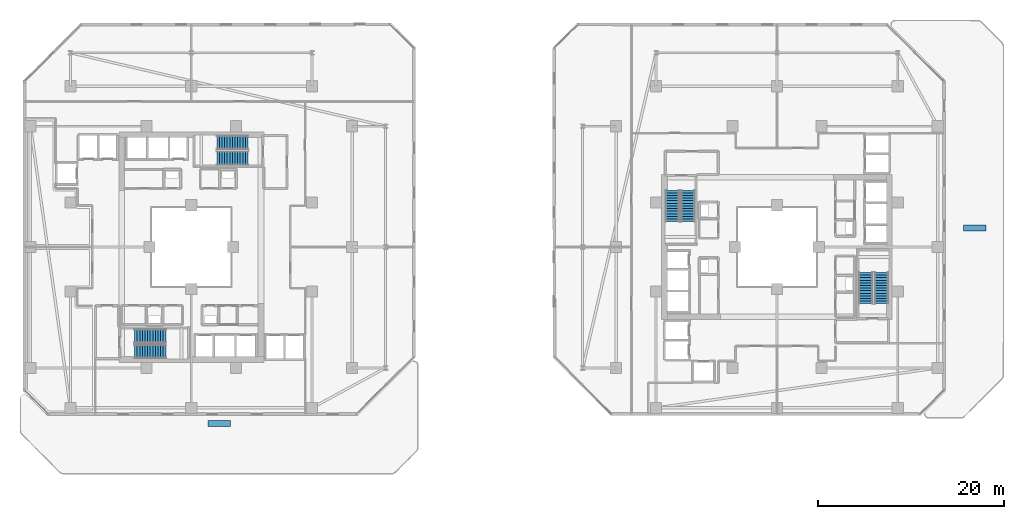
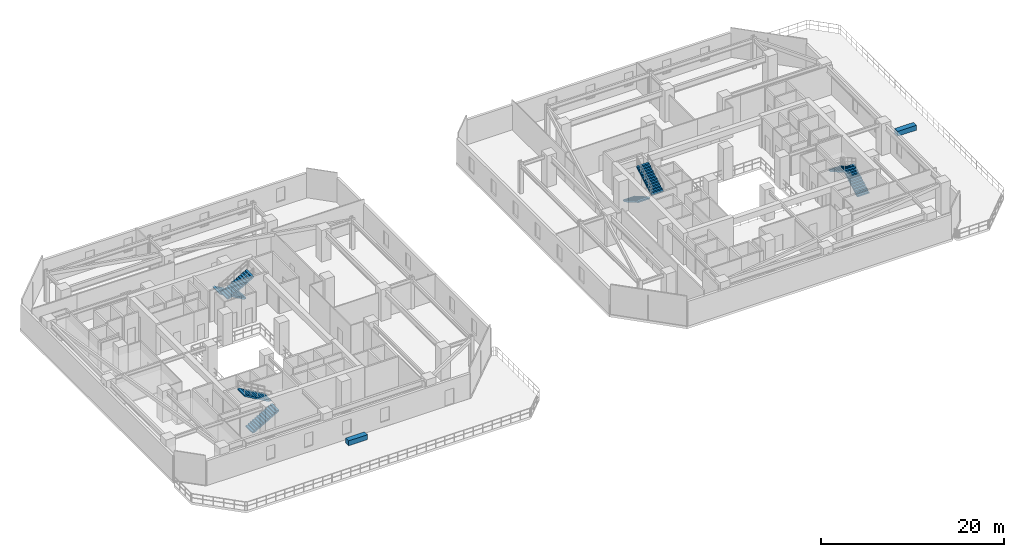
# One storey, part 23 of 30: 8 stair flights, 2 discrete accessories, 4 elements without a shape of their own.
"""IFC4 building model written with IfcOpenShell, lengths in metres."""

from ifc_helpers import new_model, si_unit, direction, frame, origin, origin_2d, place, context, subcontext, project, spatial, polyline, rectangle, outline, extrude, material, type_object, element, aggregate, save


model = new_model("IFC4")

# Units and contexts
model_context = context("Model", 3, precision=1e-05, world=origin(), true_north=direction((0.0, 1.0)))
body_context = subcontext(model_context, "Body", "Model", "MODEL_VIEW")
ifc_project = project(units=[si_unit("LENGTHUNIT", "METRE"), si_unit("AREAUNIT", "SQUARE_METRE"), si_unit("VOLUMEUNIT", "CUBIC_METRE"), si_unit("PLANEANGLEUNIT", "RADIAN"), si_unit("MASSUNIT", "GRAM", prefix="KILO")], contexts=[model_context])

# Site, building, storey
site_placement = place(None, origin())
site = spatial("IfcSite", under=ifc_project, at=site_placement, CompositionType="ELEMENT")
building_placement = place(site_placement, origin())
building = spatial("IfcBuilding", under=site, at=building_placement, Name="Thornwick Lancets Civic Towers", CompositionType="ELEMENT")
storey_placement = place(building_placement, frame((0.0, 0.0, 75.89990234375)))
storey = spatial("IfcBuildingStorey", under=building, at=storey_placement, Name="L19", CompositionType="ELEMENT", Elevation=75.89990234375)

# Stair, stair flights
ifc_material_1 = material(Name="Concrete C40/50", Category="concrete")
stair_type = type_object("IfcStairType", Name="STAIR_DL_4200", PredefinedType="HALF_TURN_STAIR", material=ifc_material_1)
stair_1_placement = place(storey_placement, origin())
stair_1 = element("IfcStair", 1, at=stair_1_placement, inside=storey, type_object=stair_type, Name="L19 Tower A South Exit Stair ST-A1", PredefinedType="HALF_TURN_STAIR")
stair_flight_type = type_object("IfcStairFlightType", Name="FLIGHT_4200", PredefinedType="STRAIGHT", material=ifc_material_1)
stair_flight_1_placement = place(storey_placement, frame((19.39990234375, 15.75, 0.0), z_axis=(0.0, 0.0, 1.0), x_axis=(1.0, 0.0, 0.0)))
stair_flight_1 = element("IfcStairFlight", 2, at=stair_flight_1_placement, type_object=stair_flight_type, Name="ST-A1 flight 1", NumberOfRisers=13, NumberOfTreads=12, PredefinedType="STRAIGHT", RiserHeight=0.161538462, TreadLength=0.28, context=body_context, shape_type="SweptSolid", body=[
    extrude(outline(polyline([(0.0, 0.0), (0.0, 0.16162109375), (0.280029296875, 0.16162109375), (0.280029296875, 0.322998046875), (0.56005859375, 0.322998046875), (0.56005859375, 0.484619140625), (0.840087890625, 0.484619140625), (0.840087890625, 0.646240234375), (1.1201171875, 0.646240234375), (1.1201171875, 0.8076171875), (1.39990234375, 0.8076171875), (1.39990234375, 0.96923828125), (1.679931640625, 0.96923828125), (1.679931640625, 1.130859375), (1.9599609375, 1.130859375), (1.9599609375, 1.292236328125), (2.239990234375, 1.292236328125), (2.239990234375, 1.453857421875), (2.52001953125, 1.453857421875), (2.52001953125, 1.615478515625), (2.800048828125, 1.615478515625), (2.800048828125, 1.77685546875), (3.080078125, 1.77685546875), (3.080078125, 1.9384765625), (3.360107421875, 1.9384765625), (3.360107421875, 2.10009765625), (3.360107421875, 1.765380859375), (0.300048828125, 0.0), (0.0, 0.0)])), frame((0.0, 0.75, 0.0), z_axis=(0.0, -1.0, 0.0), x_axis=(1.0, 0.0, 0.0)), (0.0, 0.0, 1.0), 1.5),
])
stair_flight_2_placement = place(storey_placement, frame((22.760009765625, 17.449951171875, 2.10009765625), z_axis=(0.0, 0.0, 1.0), x_axis=(-1.0, 0.0, 0.0)))
stair_flight_2 = element("IfcStairFlight", 3, at=stair_flight_2_placement, type_object=stair_flight_type, Name="ST-A1 flight 2", NumberOfRisers=13, NumberOfTreads=12, PredefinedType="STRAIGHT", RiserHeight=0.161538462, TreadLength=0.28, context=body_context, shape_type="SweptSolid", body=[
    extrude(outline(polyline([(0.0, 0.0), (0.0, 0.16162109375), (0.280029296875, 0.16162109375), (0.280029296875, 0.322998046875), (0.56005859375, 0.322998046875), (0.56005859375, 0.484619140625), (0.840087890625, 0.484619140625), (0.840087890625, 0.646240234375), (1.1201171875, 0.646240234375), (1.1201171875, 0.8076171875), (1.39990234375, 0.8076171875), (1.39990234375, 0.96923828125), (1.679931640625, 0.96923828125), (1.679931640625, 1.130859375), (1.9599609375, 1.130859375), (1.9599609375, 1.292236328125), (2.239990234375, 1.292236328125), (2.239990234375, 1.453857421875), (2.52001953125, 1.453857421875), (2.52001953125, 1.615478515625), (2.800048828125, 1.615478515625), (2.800048828125, 1.77685546875), (3.080078125, 1.77685546875), (3.080078125, 1.9384765625), (3.360107421875, 1.9384765625), (3.360107421875, 2.10009765625), (3.360107421875, 1.765380859375), (0.300048828125, 0.0), (0.0, 0.0)])), frame((0.0, 0.75, 0.0), z_axis=(0.0, -1.0, 0.0), x_axis=(1.0, 0.0, 0.0)), (0.0, 0.0, 1.0), 1.5),
])
aggregate(stair_1, [stair_flight_1, stair_flight_2])

stair_2_placement = place(storey_placement, origin())
stair_2 = element("IfcStair", 4, at=stair_2_placement, inside=storey, type_object=stair_type, Name="L19 Tower A North Exit Stair ST-A2", PredefinedType="HALF_TURN_STAIR")
stair_flight_3_placement = place(storey_placement, frame((31.60009765625, 38.25, 0.0), z_axis=(0.0, 0.0, 1.0), x_axis=(-1.0, 0.0, 0.0)))
stair_flight_3 = element("IfcStairFlight", 5, at=stair_flight_3_placement, type_object=stair_flight_type, Name="ST-A2 flight 1", NumberOfRisers=13, NumberOfTreads=12, PredefinedType="STRAIGHT", RiserHeight=0.161538462, TreadLength=0.28, context=body_context, shape_type="SweptSolid", body=[
    extrude(outline(polyline([(0.0, 0.0), (0.0, 0.16162109375), (0.280029296875, 0.16162109375), (0.280029296875, 0.322998046875), (0.56005859375, 0.322998046875), (0.56005859375, 0.484619140625), (0.840087890625, 0.484619140625), (0.840087890625, 0.646240234375), (1.1201171875, 0.646240234375), (1.1201171875, 0.8076171875), (1.39990234375, 0.8076171875), (1.39990234375, 0.96923828125), (1.679931640625, 0.96923828125), (1.679931640625, 1.130859375), (1.9599609375, 1.130859375), (1.9599609375, 1.292236328125), (2.239990234375, 1.292236328125), (2.239990234375, 1.453857421875), (2.52001953125, 1.453857421875), (2.52001953125, 1.615478515625), (2.800048828125, 1.615478515625), (2.800048828125, 1.77685546875), (3.080078125, 1.77685546875), (3.080078125, 1.9384765625), (3.360107421875, 1.9384765625), (3.360107421875, 2.10009765625), (3.360107421875, 1.765380859375), (0.300048828125, 0.0), (0.0, 0.0)])), frame((0.0, 0.75, 0.0), z_axis=(0.0, -1.0, 0.0), x_axis=(1.0, 0.0, 0.0)), (0.0, 0.0, 1.0), 1.5),
])
stair_flight_4_placement = place(storey_placement, frame((28.239990234375, 36.550048828125, 2.10009765625), z_axis=(0.0, 0.0, 1.0), x_axis=(1.0, 0.0, 0.0)))
stair_flight_4 = element("IfcStairFlight", 6, at=stair_flight_4_placement, type_object=stair_flight_type, Name="ST-A2 flight 2", NumberOfRisers=13, NumberOfTreads=12, PredefinedType="STRAIGHT", RiserHeight=0.161538462, TreadLength=0.28, context=body_context, shape_type="SweptSolid", body=[
    extrude(outline(polyline([(0.0, 0.0), (0.0, 0.16162109375), (0.280029296875, 0.16162109375), (0.280029296875, 0.322998046875), (0.56005859375, 0.322998046875), (0.56005859375, 0.484619140625), (0.840087890625, 0.484619140625), (0.840087890625, 0.646240234375), (1.1201171875, 0.646240234375), (1.1201171875, 0.8076171875), (1.39990234375, 0.8076171875), (1.39990234375, 0.96923828125), (1.679931640625, 0.96923828125), (1.679931640625, 1.130859375), (1.9599609375, 1.130859375), (1.9599609375, 1.292236328125), (2.239990234375, 1.292236328125), (2.239990234375, 1.453857421875), (2.52001953125, 1.453857421875), (2.52001953125, 1.615478515625), (2.800048828125, 1.615478515625), (2.800048828125, 1.77685546875), (3.080078125, 1.77685546875), (3.080078125, 1.9384765625), (3.360107421875, 1.9384765625), (3.360107421875, 2.10009765625), (3.360107421875, 1.765380859375), (0.300048828125, 0.0), (0.0, 0.0)])), frame((0.0, 0.75, 0.0), z_axis=(0.0, -1.0, 0.0), x_axis=(1.0, 0.0, 0.0)), (0.0, 0.0, 1.0), 1.5),
])
aggregate(stair_2, [stair_flight_3, stair_flight_4])

stair_3_placement = place(storey_placement, origin())
stair_3 = element("IfcStair", 7, at=stair_3_placement, inside=storey, type_object=stair_type, Name="L19 Tower B East Exit Stair ST-B1", PredefinedType="HALF_TURN_STAIR")
stair_flight_5_placement = place(storey_placement, frame((99.75, 20.89990234375, 0.0), z_axis=(0.0, 0.0, 1.0), x_axis=(0.0, 1.0, 0.0)))
stair_flight_5 = element("IfcStairFlight", 8, at=stair_flight_5_placement, type_object=stair_flight_type, Name="ST-B1 flight 1", NumberOfRisers=13, NumberOfTreads=12, PredefinedType="STRAIGHT", RiserHeight=0.161538462, TreadLength=0.28, context=body_context, shape_type="SweptSolid", body=[
    extrude(outline(polyline([(0.0, 0.0), (0.0, 0.16162109375), (0.280029296875, 0.16162109375), (0.280029296875, 0.322998046875), (0.56005859375, 0.322998046875), (0.56005859375, 0.484619140625), (0.840087890625, 0.484619140625), (0.840087890625, 0.646240234375), (1.1201171875, 0.646240234375), (1.1201171875, 0.8076171875), (1.39990234375, 0.8076171875), (1.39990234375, 0.96923828125), (1.679931640625, 0.96923828125), (1.679931640625, 1.130859375), (1.9599609375, 1.130859375), (1.9599609375, 1.292236328125), (2.239990234375, 1.292236328125), (2.239990234375, 1.453857421875), (2.52001953125, 1.453857421875), (2.52001953125, 1.615478515625), (2.800048828125, 1.615478515625), (2.800048828125, 1.77685546875), (3.080078125, 1.77685546875), (3.080078125, 1.9384765625), (3.360107421875, 1.9384765625), (3.360107421875, 2.10009765625), (3.360107421875, 1.765380859375), (0.300048828125, 0.0), (0.0, 0.0)])), frame((0.0, 0.75, 0.0), z_axis=(0.0, -1.0, 0.0), x_axis=(1.0, 0.0, 0.0)), (0.0, 0.0, 1.0), 1.5),
])
stair_flight_6_placement = place(storey_placement, frame((98.050048828125, 24.260009765625, 2.10009765625), z_axis=(0.0, 0.0, 1.0), x_axis=(0.0, -1.0, 0.0)))
stair_flight_6 = element("IfcStairFlight", 9, at=stair_flight_6_placement, type_object=stair_flight_type, Name="ST-B1 flight 2", NumberOfRisers=13, NumberOfTreads=12, PredefinedType="STRAIGHT", RiserHeight=0.161538462, TreadLength=0.28, context=body_context, shape_type="SweptSolid", body=[
    extrude(outline(polyline([(0.0, 0.0), (0.0, 0.16162109375), (0.280029296875, 0.16162109375), (0.280029296875, 0.322998046875), (0.56005859375, 0.322998046875), (0.56005859375, 0.484619140625), (0.840087890625, 0.484619140625), (0.840087890625, 0.646240234375), (1.1201171875, 0.646240234375), (1.1201171875, 0.8076171875), (1.39990234375, 0.8076171875), (1.39990234375, 0.96923828125), (1.679931640625, 0.96923828125), (1.679931640625, 1.130859375), (1.9599609375, 1.130859375), (1.9599609375, 1.292236328125), (2.239990234375, 1.292236328125), (2.239990234375, 1.453857421875), (2.52001953125, 1.453857421875), (2.52001953125, 1.615478515625), (2.800048828125, 1.615478515625), (2.800048828125, 1.77685546875), (3.080078125, 1.77685546875), (3.080078125, 1.9384765625), (3.360107421875, 1.9384765625), (3.360107421875, 2.10009765625), (3.360107421875, 1.765380859375), (0.300048828125, 0.0), (0.0, 0.0)])), frame((0.0, 0.75, 0.0), z_axis=(0.0, -1.0, 0.0), x_axis=(1.0, 0.0, 0.0)), (0.0, 0.0, 1.0), 1.5),
])
aggregate(stair_3, [stair_flight_5, stair_flight_6])

stair_4_placement = place(storey_placement, origin())
stair_4 = element("IfcStair", 10, at=stair_4_placement, inside=storey, type_object=stair_type, Name="L19 Tower B West Exit Stair ST-B2", PredefinedType="HALF_TURN_STAIR")
stair_flight_7_placement = place(storey_placement, frame((77.25, 33.10009765625, 0.0), z_axis=(0.0, 0.0, 1.0), x_axis=(0.0, -1.0, 0.0)))
stair_flight_7 = element("IfcStairFlight", 11, at=stair_flight_7_placement, type_object=stair_flight_type, Name="ST-B2 flight 1", NumberOfRisers=13, NumberOfTreads=12, PredefinedType="STRAIGHT", RiserHeight=0.161538462, TreadLength=0.28, context=body_context, shape_type="SweptSolid", body=[
    extrude(outline(polyline([(0.0, 0.0), (0.0, 0.16162109375), (0.280029296875, 0.16162109375), (0.280029296875, 0.322998046875), (0.56005859375, 0.322998046875), (0.56005859375, 0.484619140625), (0.840087890625, 0.484619140625), (0.840087890625, 0.646240234375), (1.1201171875, 0.646240234375), (1.1201171875, 0.8076171875), (1.39990234375, 0.8076171875), (1.39990234375, 0.96923828125), (1.679931640625, 0.96923828125), (1.679931640625, 1.130859375), (1.9599609375, 1.130859375), (1.9599609375, 1.292236328125), (2.239990234375, 1.292236328125), (2.239990234375, 1.453857421875), (2.52001953125, 1.453857421875), (2.52001953125, 1.615478515625), (2.800048828125, 1.615478515625), (2.800048828125, 1.77685546875), (3.080078125, 1.77685546875), (3.080078125, 1.9384765625), (3.360107421875, 1.9384765625), (3.360107421875, 2.10009765625), (3.360107421875, 1.765380859375), (0.300048828125, 0.0), (0.0, 0.0)])), frame((0.0, 0.75, 0.0), z_axis=(0.0, -1.0, 0.0), x_axis=(1.0, 0.0, 0.0)), (0.0, 0.0, 1.0), 1.5),
])
stair_flight_8_placement = place(storey_placement, frame((78.949951171875, 29.739990234375, 2.10009765625), z_axis=(0.0, 0.0, 1.0), x_axis=(0.0, 1.0, 0.0)))
stair_flight_8 = element("IfcStairFlight", 12, at=stair_flight_8_placement, type_object=stair_flight_type, Name="ST-B2 flight 2", NumberOfRisers=13, NumberOfTreads=12, PredefinedType="STRAIGHT", RiserHeight=0.161538462, TreadLength=0.28, context=body_context, shape_type="SweptSolid", body=[
    extrude(outline(polyline([(0.0, 0.0), (0.0, 0.16162109375), (0.280029296875, 0.16162109375), (0.280029296875, 0.322998046875), (0.56005859375, 0.322998046875), (0.56005859375, 0.484619140625), (0.840087890625, 0.484619140625), (0.840087890625, 0.646240234375), (1.1201171875, 0.646240234375), (1.1201171875, 0.8076171875), (1.39990234375, 0.8076171875), (1.39990234375, 0.96923828125), (1.679931640625, 0.96923828125), (1.679931640625, 1.130859375), (1.9599609375, 1.130859375), (1.9599609375, 1.292236328125), (2.239990234375, 1.292236328125), (2.239990234375, 1.453857421875), (2.52001953125, 1.453857421875), (2.52001953125, 1.615478515625), (2.800048828125, 1.615478515625), (2.800048828125, 1.77685546875), (3.080078125, 1.77685546875), (3.080078125, 1.9384765625), (3.360107421875, 1.9384765625), (3.360107421875, 2.10009765625), (3.360107421875, 1.765380859375), (0.300048828125, 0.0), (0.0, 0.0)])), frame((0.0, 0.75, 0.0), z_axis=(0.0, -1.0, 0.0), x_axis=(1.0, 0.0, 0.0)), (0.0, 0.0, 1.0), 1.5),
])
aggregate(stair_4, [stair_flight_7, stair_flight_8])

# Discrete accessories
ifc_material_2 = material(Name="Planted terracotta greenery planter", Category="masonry")
discrete_accessory_type = type_object("IfcDiscreteAccessoryType", Name="ACC_PLANTER_BOX", PredefinedType="USERDEFINED", material=ifc_material_2)
for number, where, z_axis, x_axis, name in (
    (13, (28.5, 8.033203125, 0.000244140625), (0.0, 0.0, 1.0), (1.0, 0.0, 0.0), "L19 Tower A Sky-Garden Planter 1"),
    (14, (109.760009765625, 29.040283203125, 0.000244140625), (0.0, 0.0, 1.0), (1.0, 0.0, 0.0), "L19 Tower B Sky-Garden Planter 1"),
):
    element("IfcDiscreteAccessory", number, at=place(storey_placement, frame(where, z_axis=z_axis, x_axis=x_axis)), inside=storey, type_object=discrete_accessory_type, Name=name, ObjectType="PLANTER", PredefinedType="USERDEFINED", context=body_context, shape_type="SweptSolid", body=[
        extrude(rectangle(XDim=2.39990234375, YDim=0.64990234375, at=origin_2d()), origin(), (0.0, 0.0, 1.0), 0.64990234375),
    ])

save(model, "model.ifc")
